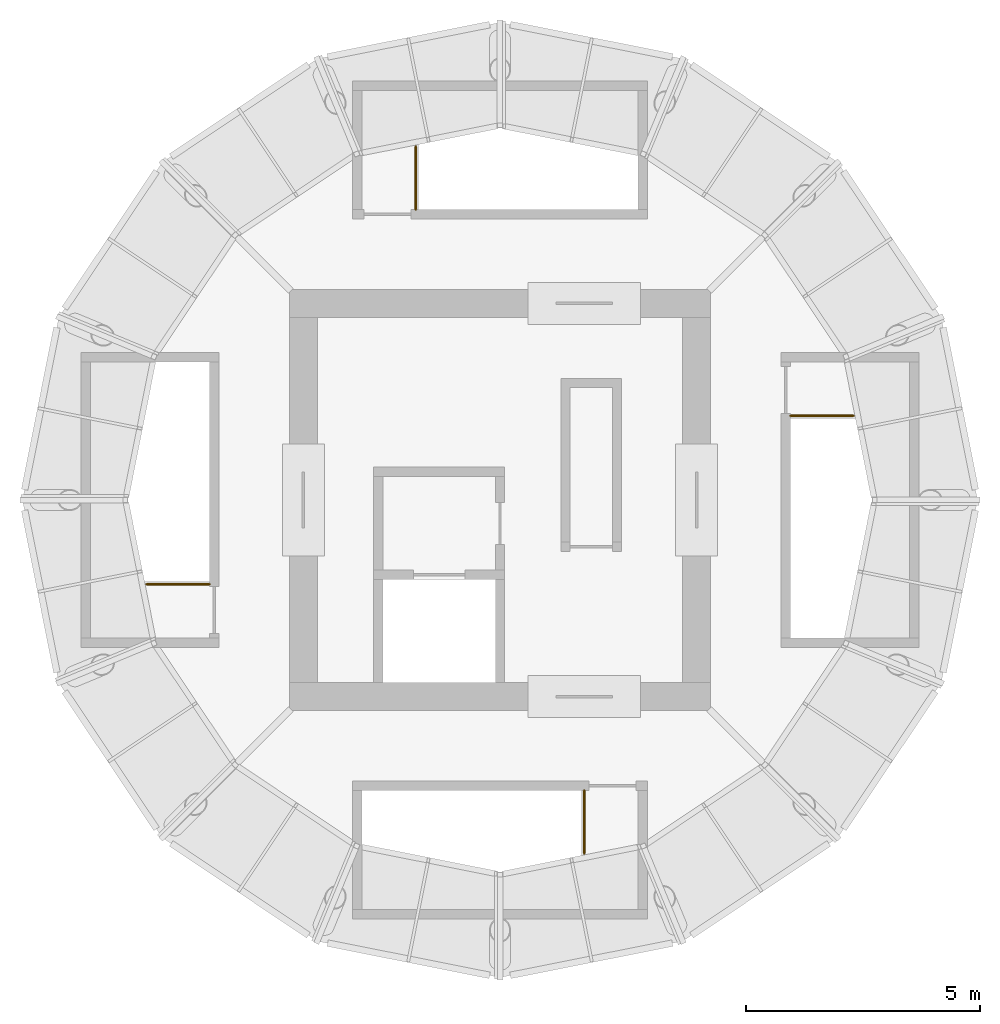
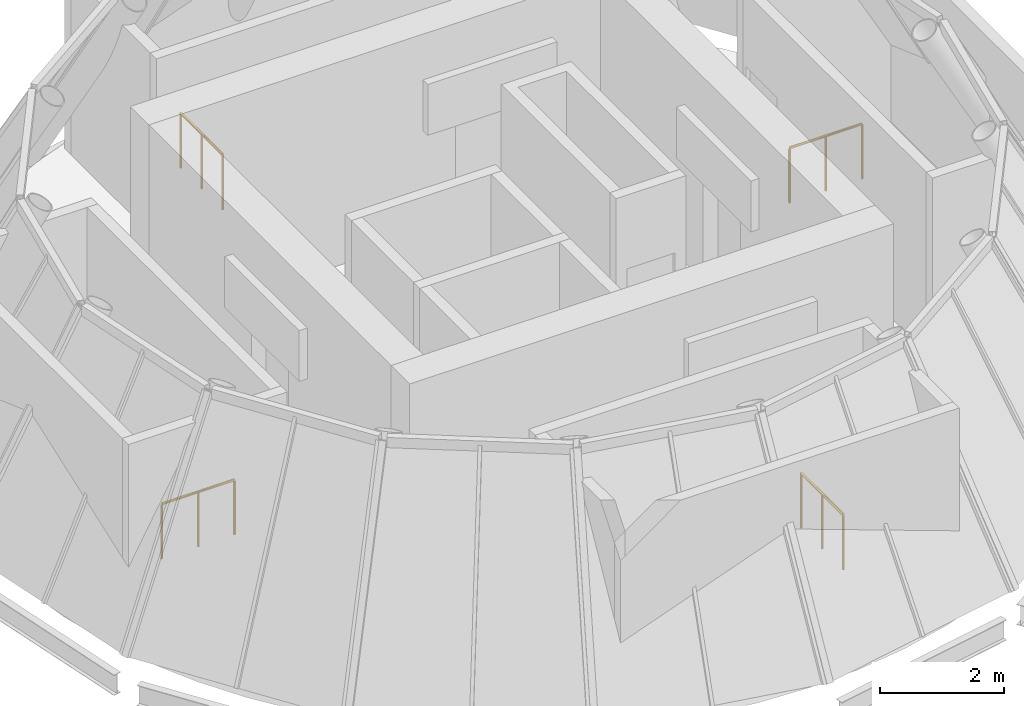
# One storey, part 4 of 4: 4 railings.
"""IFC4 building model written with IfcOpenShell, lengths in metres."""

from ifc_helpers import new_model, si_unit, direction, frame, origin, origin_2d, place, context, subcontext, project, spatial, circle, extrude, material, type_object, element, save


model = new_model("IFC4")

# Units and contexts
model_context = context("Model", 3, precision=1e-05, world=origin(), true_north=direction((0.0, 1.0)))
body_context = subcontext(model_context, "Body", "Model", "MODEL_VIEW")
ifc_project = project(units=[si_unit("LENGTHUNIT", "METRE"), si_unit("AREAUNIT", "SQUARE_METRE"), si_unit("VOLUMEUNIT", "CUBIC_METRE"), si_unit("PLANEANGLEUNIT", "RADIAN"), si_unit("MASSUNIT", "GRAM", prefix="KILO")], contexts=[model_context])

# Site, building, storey
site_placement = place(None, origin())
site = spatial("IfcSite", under=ifc_project, at=site_placement, CompositionType="ELEMENT")
building_placement = place(site_placement, origin())
building = spatial("IfcBuilding", under=site, at=building_placement, Name="Corvane Civic Tower", CompositionType="ELEMENT")
storey_placement = place(building_placement, frame((0.0, 0.0, 406.5)))
storey = spatial("IfcBuildingStorey", under=building, at=storey_placement, Name="L96", CompositionType="ELEMENT", Elevation=406.5)

# Railings
ifc_material = material(Name="Steel ASTM A572 Gr 50", Category="steel")
railing_type = type_object("IfcRailingType", Name="ST-GUARD-1100", PredefinedType="GUARDRAIL", material=ifc_material)
railing_1_placement = place(storey_placement, frame((6.199951171875, 1.800048828125, 0.0)))
element("IfcRailing", 1, at=railing_1_placement, inside=storey, type_object=railing_type, Name="L96 CS1 top well guard 1", PredefinedType="GUARDRAIL", context=body_context, shape_type="SweptSolid", body=[
    extrude(circle(Radius=0.02392578125, at=origin_2d()), frame((0.0, 0.0, 1.076171875), z_axis=(1.0, 0.0, 0.0), x_axis=(0.0, 1.0, 0.0)), (0.0, 0.0, 1.0), 1.35009765625),
    extrude(circle(Radius=0.02099609375, at=origin_2d()), origin(), (0.0, 0.0, 1.0), 1.052001953125),
    extrude(circle(Radius=0.02099609375, at=origin_2d()), frame((0.675048828125, 0.0, 0.0)), (0.0, 0.0, 1.0), 1.052001953125),
    extrude(circle(Radius=0.02099609375, at=origin_2d()), frame((1.35009765625, 0.0, 0.0)), (0.0, 0.0, 1.0), 1.052001953125),
])
railing_2_placement = place(storey_placement, frame((-1.800048828125, 6.199951171875, 0.0)))
element("IfcRailing", 2, at=railing_2_placement, inside=storey, type_object=railing_type, Name="L96 CS2 top well guard 1", PredefinedType="GUARDRAIL", context=body_context, shape_type="SweptSolid", body=[
    extrude(circle(Radius=0.02392578125, at=origin_2d()), frame((0.0, 0.0, 1.076171875), z_axis=(0.0, 1.0, 0.0), x_axis=(-1.0, 0.0, 0.0)), (0.0, 0.0, 1.0), 1.35009765625),
    extrude(circle(Radius=0.02099609375, at=origin_2d()), origin(), (0.0, 0.0, 1.0), 1.052001953125),
    extrude(circle(Radius=0.02099609375, at=origin_2d()), frame((0.0, 0.675048828125, 0.0)), (0.0, 0.0, 1.0), 1.052001953125),
    extrude(circle(Radius=0.02099609375, at=origin_2d()), frame((0.0, 1.35009765625, 0.0)), (0.0, 0.0, 1.0), 1.052001953125),
])
railing_3_placement = place(storey_placement, frame((-6.199951171875, -1.800048828125, 0.0)))
element("IfcRailing", 3, at=railing_3_placement, inside=storey, type_object=railing_type, Name="L96 CS3 top well guard 1", PredefinedType="GUARDRAIL", context=body_context, shape_type="SweptSolid", body=[
    extrude(circle(Radius=0.02392578125, at=origin_2d()), frame((0.0, 0.0, 1.076171875), z_axis=(-1.0, 0.0, 0.0), x_axis=(0.0, -1.0, 0.0)), (0.0, 0.0, 1.0), 1.35009765625),
    extrude(circle(Radius=0.02099609375, at=origin_2d()), origin(), (0.0, 0.0, 1.0), 1.052001953125),
    extrude(circle(Radius=0.02099609375, at=origin_2d()), frame((-0.675048828125, 0.0, 0.0)), (0.0, 0.0, 1.0), 1.052001953125),
    extrude(circle(Radius=0.02099609375, at=origin_2d()), frame((-1.35009765625, 0.0, 0.0)), (0.0, 0.0, 1.0), 1.052001953125),
])
railing_4_placement = place(storey_placement, frame((1.800048828125, -6.199951171875, 0.0)))
element("IfcRailing", 4, at=railing_4_placement, inside=storey, type_object=railing_type, Name="L96 CS4 top well guard 1", PredefinedType="GUARDRAIL", context=body_context, shape_type="SweptSolid", body=[
    extrude(circle(Radius=0.02392578125, at=origin_2d()), frame((0.0, 0.0, 1.076171875), z_axis=(0.0, -1.0, 0.0), x_axis=(1.0, 0.0, 0.0)), (0.0, 0.0, 1.0), 1.35009765625),
    extrude(circle(Radius=0.02099609375, at=origin_2d()), origin(), (0.0, 0.0, 1.0), 1.052001953125),
    extrude(circle(Radius=0.02099609375, at=origin_2d()), frame((0.0, -0.675048828125, 0.0)), (0.0, 0.0, 1.0), 1.052001953125),
    extrude(circle(Radius=0.02099609375, at=origin_2d()), frame((0.0, -1.35009765625, 0.0)), (0.0, 0.0, 1.0), 1.052001953125),
])

save(model, "model.ifc")
